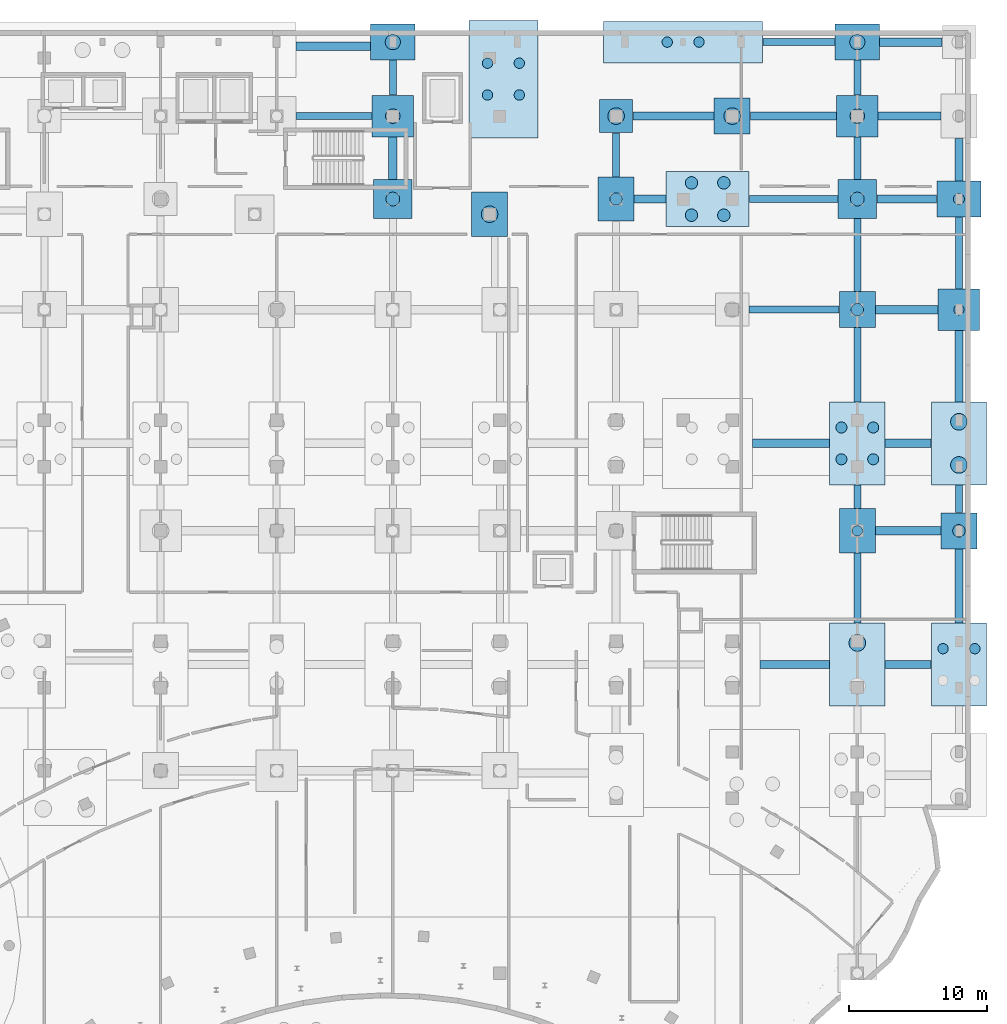
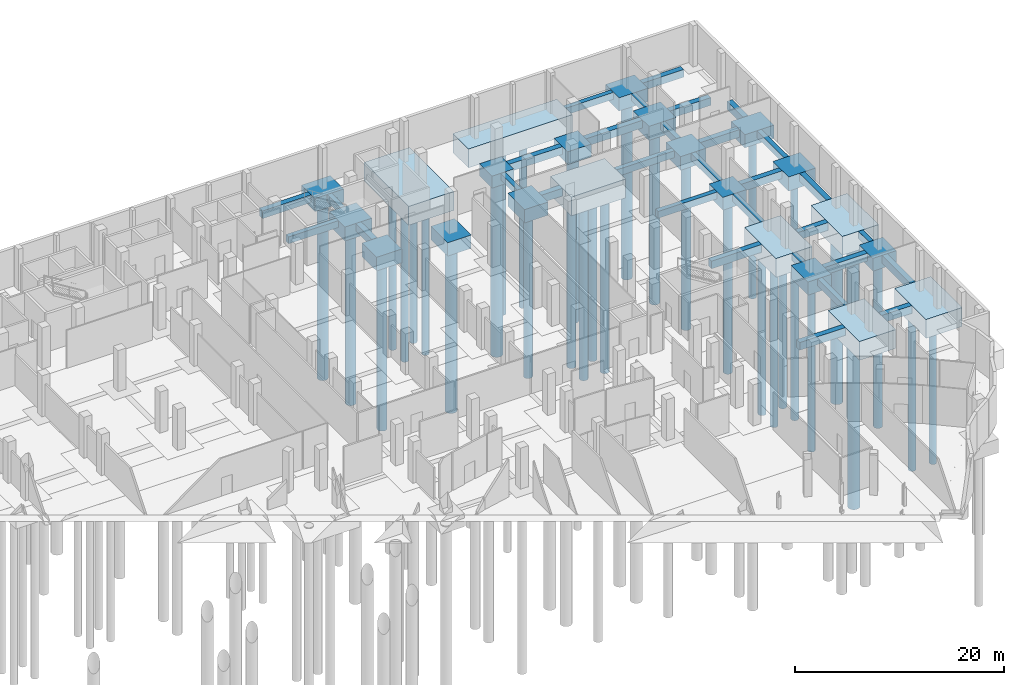
# One storey, part 8 of 45: 53 footings, 34 piles.
"""IFC4 building model written with IfcOpenShell, lengths in metres."""

from ifc_helpers import new_model, si_unit, direction, frame, origin, origin_2d, place, context, subcontext, project, spatial, rectangle, circle, extrude, material, material_profile, profile_set, type_object, element, save


model = new_model("IFC4")

# Units and contexts
model_context = context("Model", 3, precision=1e-05, world=origin(), true_north=direction((0.0, 1.0)))
body_context = subcontext(model_context, "Body", "Model", "MODEL_VIEW")
ifc_project = project(units=[si_unit("LENGTHUNIT", "METRE"), si_unit("AREAUNIT", "SQUARE_METRE"), si_unit("VOLUMEUNIT", "CUBIC_METRE"), si_unit("PLANEANGLEUNIT", "RADIAN"), si_unit("MASSUNIT", "GRAM", prefix="KILO")], contexts=[model_context])

# Site, building, storey
site_placement = place(None, origin())
site = spatial("IfcSite", under=ifc_project, at=site_placement, CompositionType="ELEMENT")
building_placement = place(site_placement, origin())
building = spatial("IfcBuilding", under=site, at=building_placement, Name="Selatvlak General Hospital", CompositionType="ELEMENT")
storey_placement = place(building_placement, frame((0.0, 0.0, -4.800048828125)))
storey = spatial("IfcBuildingStorey", under=building, at=storey_placement, Name="B1", CompositionType="ELEMENT", Elevation=-4.800048828125)

# Footings
ifc_material_1 = material(Name="Concrete C40/50", Category="concrete")
footing_type_1 = type_object("IfcFootingType", Name="FTG-PC-01", PredefinedType="PILE_CAP", material=ifc_material_1)
footing_1_placement = place(storey_placement, frame((156.550048828125, 114.0, -1.39990234375), z_axis=(0.0, 0.0, 1.0), x_axis=(1.0, 0.0, 0.0)))
element("IfcFooting", 1, at=footing_1_placement, inside=storey, type_object=footing_type_1, Name="Pile cap CAP-162", PredefinedType="PILE_CAP", context=body_context, shape_type="SweptSolid", body=[
    extrude(rectangle(XDim=2.39990234375, YDim=2.39990234375, at=origin_2d()), origin(), (0.0, 0.0, 1.0), 1.39990234375),
])
footing_type_2 = type_object("IfcFootingType", Name="FTG-PC-02", PredefinedType="PILE_CAP", material=ifc_material_1)
for number, where, z_axis, x_axis, name in (
    (2, (164.949951171875, 114.0, -1.5), (0.0, 0.0, 1.0), (1.0, 0.0, 0.0), "Pile cap CAP-169"),
    (3, (174.0, 100.0, -1.5), (0.0, 0.0, 1.0), (1.0, 0.0, 0.0), "Pile cap CAP-175"),
    (4, (181.35009765625, 84.0, -1.5), (0.0, 0.0, 1.0), (1.0, 0.0, 0.0), "Pile cap CAP-181"),
):
    element("IfcFooting", number, at=place(storey_placement, frame(where, z_axis=z_axis, x_axis=x_axis)), inside=storey, type_object=footing_type_2, Name=name, PredefinedType="PILE_CAP", context=body_context, shape_type="SweptSolid", body=[
        extrude(rectangle(XDim=2.60009765625, YDim=2.60009765625, at=origin_2d()), origin(), (0.0, 0.0, 1.0), 1.5),
    ])
footing_type_3 = type_object("IfcFootingType", Name="FTG-PC-03", PredefinedType="PILE_CAP", material=ifc_material_1)
for number, where, z_axis, x_axis, name in (
    (5, (140.39990234375, 108.0, -1.60009765625), (0.0, 0.0, 1.0), (1.0, 0.0, 0.0), "Pile cap CAP-146"),
    (6, (174.0, 108.0, -1.60009765625), (0.0, 0.0, 1.0), (1.0, 0.0, 0.0), "Pile cap CAP-176"),
):
    element("IfcFooting", number, at=place(storey_placement, frame(where, z_axis=z_axis, x_axis=x_axis)), inside=storey, type_object=footing_type_3, Name=name, PredefinedType="PILE_CAP", context=body_context, shape_type="SweptSolid", body=[
        extrude(rectangle(XDim=2.800048828125, YDim=2.800048828125, at=origin_2d()), origin(), (0.0, 0.0, 1.0), 1.60009765625),
    ])
footing_type_4 = type_object("IfcFootingType", Name="FTG-PC-04", PredefinedType="PILE_CAP", material=ifc_material_1)
for number, where, z_axis, x_axis, name in (
    (7, (140.39990234375, 114.0, -1.64990234375), (0.0, 0.0, 1.0), (1.0, 0.0, 0.0), "Pile cap CAP-147"),
    (8, (174.0, 114.0, -1.64990234375), (0.0, 0.0, 1.0), (1.0, 0.0, 0.0), "Pile cap CAP-177"),
    (9, (181.35009765625, 100.0, -1.64990234375), (0.0, 0.0, 1.0), (1.0, 0.0, 0.0), "Pile cap CAP-183"),
):
    element("IfcFooting", number, at=place(storey_placement, frame(where, z_axis=z_axis, x_axis=x_axis)), inside=storey, type_object=footing_type_4, Name=name, PredefinedType="PILE_CAP", context=body_context, shape_type="SweptSolid", body=[
        extrude(rectangle(XDim=3.0, YDim=3.0, at=origin_2d()), origin(), (0.0, 0.0, 1.0), 1.64990234375),
    ])
footing_type_5 = type_object("IfcFootingType", Name="FTG-PC-05", PredefinedType="PILE_CAP", material=ifc_material_1)
for number, where, z_axis, x_axis, name in (
    (10, (140.39990234375, 119.35009765625, -1.5498046875), (0.0, 0.0, 1.0), (1.0, 0.0, 0.0), "Pile cap CAP-148"),
    (11, (174.0, 119.35009765625, -1.5498046875), (0.0, 0.0, 1.0), (1.0, 0.0, 0.0), "Pile cap CAP-178"),
    (12, (181.35009765625, 108.0, -1.5498046875), (0.0, 0.0, 1.0), (1.0, 0.0, 0.0), "Pile cap CAP-184"),
):
    element("IfcFooting", number, at=place(storey_placement, frame(where, z_axis=z_axis, x_axis=x_axis)), inside=storey, type_object=footing_type_5, Name=name, PredefinedType="PILE_CAP", context=body_context, shape_type="SweptSolid", body=[
        extrude(rectangle(XDim=3.199951171875, YDim=2.60009765625, at=origin_2d()), origin(), (0.0, 0.0, 1.0), 1.550048828125),
    ])
footing_type_6 = type_object("IfcFootingType", Name="FTG-PC-06", PredefinedType="PILE_CAP", material=ifc_material_1)
for number, where, z_axis, x_axis, name in (
    (13, (147.39990234375, 106.89990234375, -1.5498046875), (0.0, 0.0, 1.0), (1.0, 0.0, 0.0), "Pile cap CAP-149"),
    (14, (156.550048828125, 108.0, -1.5498046875), (0.0, 0.0, 1.0), (1.0, 0.0, 0.0), "Pile cap CAP-161"),
    (15, (174.0, 84.0, -1.5498046875), (0.0, 0.0, 1.0), (1.0, 0.0, 0.0), "Pile cap CAP-173"),
):
    element("IfcFooting", number, at=place(storey_placement, frame(where, z_axis=z_axis, x_axis=x_axis)), inside=storey, type_object=footing_type_6, Name=name, PredefinedType="PILE_CAP", context=body_context, shape_type="SweptSolid", body=[
        extrude(rectangle(XDim=2.60009765625, YDim=3.199951171875, at=origin_2d()), origin(), (0.0, 0.0, 1.0), 1.550048828125),
    ])
footing_type_7 = type_object("IfcFootingType", Name="FTG-PC-19", PredefinedType="PILE_CAP", material=ifc_material_1)
footing_2_placement = place(storey_placement, frame((163.175048828125, 108.0, -2.19970703125), z_axis=(0.0, 0.0, 1.0), x_axis=(1.0, 0.0, 0.0)))
element("IfcFooting", 16, at=footing_2_placement, inside=storey, type_object=footing_type_7, Name="Pile cap CAP-165", PredefinedType="PILE_CAP", context=body_context, shape_type="SweptSolid", body=[
    extrude(rectangle(XDim=6.0, YDim=4.0, at=origin_2d()), origin(), (0.0, 0.0, 1.0), 2.199951171875),
])
footing_type_8 = type_object("IfcFootingType", Name="FTG-PC-20", PredefinedType="PILE_CAP", material=ifc_material_1)
for number, where, z_axis, x_axis, name in (
    (17, (174.0, 74.324951171875, -2.19970703125), (0.0, 0.0, 1.0), (1.0, 0.0, 0.0), "Pile cap CAP-172"),
    (18, (174.0, 90.324951171875, -2.19970703125), (0.0, 0.0, 1.0), (1.0, 0.0, 0.0), "Pile cap CAP-174"),
    (19, (181.35009765625, 74.324951171875, -2.19970703125), (0.0, 0.0, 1.0), (1.0, 0.0, 0.0), "Pile cap CAP-180"),
    (20, (181.35009765625, 90.324951171875, -2.19970703125), (0.0, 0.0, 1.0), (1.0, 0.0, 0.0), "Pile cap CAP-182"),
):
    element("IfcFooting", number, at=place(storey_placement, frame(where, z_axis=z_axis, x_axis=x_axis)), inside=storey, type_object=footing_type_8, Name=name, PredefinedType="PILE_CAP", context=body_context, shape_type="SweptSolid", body=[
        extrude(rectangle(XDim=4.0, YDim=6.0, at=origin_2d()), origin(), (0.0, 0.0, 1.0), 2.199951171875),
    ])
footing_type_9 = type_object("IfcFootingType", Name="FTG-PC-M150", PredefinedType="PILE_CAP", material=ifc_material_1)
footing_3_placement = place(storey_placement, frame((148.39990234375, 116.675048828125, -2.19970703125), z_axis=(0.0, 0.0, 1.0), x_axis=(1.0, 0.0, 0.0)))
element("IfcFooting", 21, at=footing_3_placement, inside=storey, type_object=footing_type_9, Name="Pile cap CAP-150", PredefinedType="PILE_CAP", context=body_context, shape_type="SweptSolid", body=[
    extrude(rectangle(XDim=5.0, YDim=8.5, at=origin_2d()), origin(), (0.0, 0.0, 1.0), 2.199951171875),
])
footing_type_10 = type_object("IfcFootingType", Name="FTG-PC-M163", PredefinedType="PILE_CAP", material=ifc_material_1)
footing_4_placement = place(storey_placement, frame((161.39990234375, 119.35009765625, -2.19970703125), z_axis=(0.0, 0.0, 1.0), x_axis=(1.0, 0.0, 0.0)))
element("IfcFooting", 22, at=footing_4_placement, inside=storey, type_object=footing_type_10, Name="Pile cap CAP-163", PredefinedType="PILE_CAP", context=body_context, shape_type="SweptSolid", body=[
    extrude(rectangle(XDim=11.5, YDim=3.0, at=origin_2d()), origin(), (0.0, 0.0, 1.0), 2.199951171875),
])
ifc_material_2 = material(Name="Concrete C35/45", Category="concrete")
footing_type_11 = type_object("IfcFootingType", Name="FTG-TB-103", PredefinedType="FOOTING_BEAM", material=ifc_material_2)
footing_5_placement = place(storey_placement, frame((159.011962890625, 108.0, -0.89990234375), z_axis=(0.0, 0.0, 1.0), x_axis=(1.0, 0.0, 0.0)))
element("IfcFooting", 23, at=footing_5_placement, inside=storey, type_object=footing_type_11, Name="Foundation tie beam TBF-181", PredefinedType="FOOTING_BEAM", context=body_context, shape_type="SweptSolid", body=[
    extrude(rectangle(XDim=2.304931640625, YDim=0.60009765625, at=origin_2d()), origin(), (0.0, 0.0, 1.0), 0.89990234375),
])
footing_type_12 = type_object("IfcFootingType", Name="FTG-TB-104", PredefinedType="FOOTING_BEAM", material=ifc_material_2)
footing_6_placement = place(storey_placement, frame((169.77490234375, 119.35009765625, -0.7998046875), z_axis=(0.0, 0.0, 1.0), x_axis=(1.0, 0.0, 0.0)))
element("IfcFooting", 24, at=footing_6_placement, inside=storey, type_object=footing_type_12, Name="Foundation tie beam TBF-184", PredefinedType="FOOTING_BEAM", context=body_context, shape_type="SweptSolid", body=[
    extrude(rectangle(XDim=5.22998046875, YDim=0.5, at=origin_2d()), origin(), (0.0, 0.0, 1.0), 0.800048828125),
])
footing_type_13 = type_object("IfcFootingType", Name="FTG-TB-105", PredefinedType="FOOTING_BEAM", material=ifc_material_2)
footing_7_placement = place(storey_placement, frame((169.212890625, 90.324951171875, -0.89990234375), z_axis=(0.0, 0.0, 1.0), x_axis=(1.0, 0.0, 0.0)))
element("IfcFooting", 25, at=footing_7_placement, inside=storey, type_object=footing_type_13, Name="Foundation tie beam TBF-185", PredefinedType="FOOTING_BEAM", context=body_context, shape_type="SweptSolid", body=[
    extrude(rectangle(XDim=5.554931640625, YDim=0.60009765625, at=origin_2d()), origin(), (0.0, 0.0, 1.0), 0.89990234375),
])
footing_type_14 = type_object("IfcFootingType", Name="FTG-TB-106", PredefinedType="FOOTING_BEAM", material=ifc_material_2)
footing_8_placement = place(storey_placement, frame((169.386962890625, 108.0, -0.7998046875), z_axis=(0.0, 0.0, 1.0), x_axis=(1.0, 0.0, 0.0)))
element("IfcFooting", 26, at=footing_8_placement, inside=storey, type_object=footing_type_14, Name="Foundation tie beam TBF-186", PredefinedType="FOOTING_BEAM", context=body_context, shape_type="SweptSolid", body=[
    extrude(rectangle(XDim=6.405029296875, YDim=0.5, at=origin_2d()), origin(), (0.0, 0.0, 1.0), 0.800048828125),
])
footing_type_15 = type_object("IfcFootingType", Name="FTG-TB-107", PredefinedType="FOOTING_BEAM", material=ifc_material_2)
footing_9_placement = place(storey_placement, frame((169.47509765625, 74.324951171875, -0.89990234375), z_axis=(0.0, 0.0, 1.0), x_axis=(1.0, 0.0, 0.0)))
element("IfcFooting", 27, at=footing_9_placement, inside=storey, type_object=footing_type_15, Name="Foundation tie beam TBF-187", PredefinedType="FOOTING_BEAM", context=body_context, shape_type="SweptSolid", body=[
    extrude(rectangle(XDim=5.030029296875, YDim=0.60009765625, at=origin_2d()), origin(), (0.0, 0.0, 1.0), 0.89990234375),
])
footing_type_16 = type_object("IfcFootingType", Name="FTG-TB-108", PredefinedType="FOOTING_BEAM", material=ifc_material_2)
footing_10_placement = place(storey_placement, frame((169.425048828125, 100.0, -0.7998046875), z_axis=(0.0, 0.0, 1.0), x_axis=(1.0, 0.0, 0.0)))
element("IfcFooting", 28, at=footing_10_placement, inside=storey, type_object=footing_type_16, Name="Foundation tie beam TBF-188", PredefinedType="FOOTING_BEAM", context=body_context, shape_type="SweptSolid", body=[
    extrude(rectangle(XDim=6.530029296875, YDim=0.5, at=origin_2d()), origin(), (0.0, 0.0, 1.0), 0.800048828125),
])
footing_type_17 = type_object("IfcFootingType", Name="FTG-TB-109", PredefinedType="FOOTING_BEAM", material=ifc_material_2)
footing_11_placement = place(storey_placement, frame((169.375, 114.0, -0.89990234375), z_axis=(0.0, 0.0, 1.0), x_axis=(1.0, 0.0, 0.0)))
element("IfcFooting", 29, at=footing_11_placement, inside=storey, type_object=footing_type_17, Name="Foundation tie beam TBF-189", PredefinedType="FOOTING_BEAM", context=body_context, shape_type="SweptSolid", body=[
    extrude(rectangle(XDim=6.22998046875, YDim=0.60009765625, at=origin_2d()), origin(), (0.0, 0.0, 1.0), 0.89990234375),
])
footing_type_18 = type_object("IfcFootingType", Name="FTG-TB-111", PredefinedType="FOOTING_BEAM", material=ifc_material_2)
for number, where, z_axis, x_axis, name in (
    (30, (177.675048828125, 74.324951171875, -0.89990234375), (0.0, 0.0, 1.0), (1.0, 0.0, 0.0), "Foundation tie beam TBF-193"),
    (31, (177.675048828125, 90.324951171875, -0.89990234375), (0.0, 0.0, 1.0), (1.0, 0.0, 0.0), "Foundation tie beam TBF-197"),
):
    element("IfcFooting", number, at=place(storey_placement, frame(where, z_axis=z_axis, x_axis=x_axis)), inside=storey, type_object=footing_type_18, Name=name, PredefinedType="FOOTING_BEAM", context=body_context, shape_type="SweptSolid", body=[
        extrude(rectangle(XDim=3.330078125, YDim=0.60009765625, at=origin_2d()), origin(), (0.0, 0.0, 1.0), 0.89990234375),
    ])
footing_type_19 = type_object("IfcFootingType", Name="FTG-TB-113", PredefinedType="FOOTING_BEAM", material=ifc_material_2)
for number, where, z_axis, x_axis, name in (
    (32, (177.574951171875, 100.0, -0.89990234375), (0.0, 0.0, 1.0), (1.0, 0.0, 0.0), "Foundation tie beam TBF-199"),
    (33, (177.77490234375, 114.0, -0.89990234375), (0.0, 0.0, 1.0), (1.0, 0.0, 0.0), "Foundation tie beam TBF-203"),
    (34, (177.875, 119.35009765625, -0.89990234375), (0.0, 0.0, 1.0), (1.0, 0.0, 0.0), "Foundation tie beam TBF-205"),
):
    element("IfcFooting", number, at=place(storey_placement, frame(where, z_axis=z_axis, x_axis=x_axis)), inside=storey, type_object=footing_type_19, Name=name, PredefinedType="FOOTING_BEAM", context=body_context, shape_type="SweptSolid", body=[
        extrude(rectangle(XDim=4.530029296875, YDim=0.60009765625, at=origin_2d()), origin(), (0.0, 0.0, 1.0), 0.89990234375),
    ])
footing_type_20 = type_object("IfcFootingType", Name="FTG-TB-114", PredefinedType="FOOTING_BEAM", material=ifc_material_2)
footing_12_placement = place(storey_placement, frame((177.574951171875, 108.0, -0.89990234375), z_axis=(0.0, 0.0, 1.0), x_axis=(1.0, 0.0, 0.0)))
element("IfcFooting", 35, at=footing_12_placement, inside=storey, type_object=footing_type_20, Name="Foundation tie beam TBF-201", PredefinedType="FOOTING_BEAM", context=body_context, shape_type="SweptSolid", body=[
    extrude(rectangle(XDim=4.330078125, YDim=0.60009765625, at=origin_2d()), origin(), (0.0, 0.0, 1.0), 0.89990234375),
])
footing_type_21 = type_object("IfcFootingType", Name="FTG-TB-115", PredefinedType="FOOTING_BEAM", material=ifc_material_2)
footing_13_placement = place(storey_placement, frame((174.0, 110.949951171875, -0.7998046875), z_axis=(0.0, 0.0, 1.0), x_axis=(0.0, 1.0, 0.0)))
element("IfcFooting", 36, at=footing_13_placement, inside=storey, type_object=footing_type_21, Name="Foundation tie beam TBF-202", PredefinedType="FOOTING_BEAM", context=body_context, shape_type="SweptSolid", body=[
    extrude(rectangle(XDim=3.080078125, YDim=0.5, at=origin_2d()), origin(), (0.0, 0.0, 1.0), 0.800048828125),
])
footing_type_22 = type_object("IfcFootingType", Name="FTG-TB-116", PredefinedType="FOOTING_BEAM", material=ifc_material_2)
footing_14_placement = place(storey_placement, frame((181.35009765625, 80.012939453125, -0.89990234375), z_axis=(0.0, 0.0, 1.0), x_axis=(0.0, 1.0, 0.0)))
element("IfcFooting", 37, at=footing_14_placement, inside=storey, type_object=footing_type_22, Name="Foundation tie beam TBF-207", PredefinedType="FOOTING_BEAM", context=body_context, shape_type="SweptSolid", body=[
    extrude(rectangle(XDim=5.35498046875, YDim=0.60009765625, at=origin_2d()), origin(), (0.0, 0.0, 1.0), 0.89990234375),
])
footing_type_23 = type_object("IfcFootingType", Name="FTG-TB-117", PredefinedType="FOOTING_BEAM", material=ifc_material_2)
footing_15_placement = place(storey_placement, frame((181.35009765625, 86.31201171875, -0.7998046875), z_axis=(0.0, 0.0, 1.0), x_axis=(0.0, 1.0, 0.0)))
element("IfcFooting", 38, at=footing_15_placement, inside=storey, type_object=footing_type_23, Name="Foundation tie beam TBF-208", PredefinedType="FOOTING_BEAM", context=body_context, shape_type="SweptSolid", body=[
    extrude(rectangle(XDim=2.0048828125, YDim=0.5, at=origin_2d()), origin(), (0.0, 0.0, 1.0), 0.800048828125),
])
footing_type_24 = type_object("IfcFootingType", Name="FTG-TB-18", PredefinedType="FOOTING_BEAM", material=ifc_material_2)
footing_16_placement = place(storey_placement, frame((174.0, 96.012939453125, -0.7998046875), z_axis=(0.0, 0.0, 1.0), x_axis=(0.0, 1.0, 0.0)))
element("IfcFooting", 39, at=footing_16_placement, inside=storey, type_object=footing_type_24, Name="Foundation tie beam TBF-198", PredefinedType="FOOTING_BEAM", context=body_context, shape_type="SweptSolid", body=[
    extrude(rectangle(XDim=5.35498046875, YDim=0.5, at=origin_2d()), origin(), (0.0, 0.0, 1.0), 0.800048828125),
])
footing_type_25 = type_object("IfcFootingType", Name="FTG-TB-20", PredefinedType="FOOTING_BEAM", material=ifc_material_2)
footing_17_placement = place(storey_placement, frame((136.14990234375, 114.0, -0.7998046875), z_axis=(0.0, 0.0, 1.0), x_axis=(1.0, 0.0, 0.0)))
element("IfcFooting", 40, at=footing_17_placement, inside=storey, type_object=footing_type_25, Name="Foundation tie beam TBF-150", PredefinedType="FOOTING_BEAM", context=body_context, shape_type="SweptSolid", body=[
    extrude(rectangle(XDim=5.47998046875, YDim=0.5, at=origin_2d()), origin(), (0.0, 0.0, 1.0), 0.800048828125),
])
footing_type_26 = type_object("IfcFootingType", Name="FTG-TB-23", PredefinedType="FOOTING_BEAM", material=ifc_material_2)
footing_18_placement = place(storey_placement, frame((156.550048828125, 111.199951171875, -0.7998046875), z_axis=(0.0, 0.0, 1.0), x_axis=(0.0, 1.0, 0.0)))
element("IfcFooting", 41, at=footing_18_placement, inside=storey, type_object=footing_type_26, Name="Foundation tie beam TBF-182", PredefinedType="FOOTING_BEAM", context=body_context, shape_type="SweptSolid", body=[
    extrude(rectangle(XDim=3.179931640625, YDim=0.5, at=origin_2d()), origin(), (0.0, 0.0, 1.0), 0.800048828125),
])
footing_type_27 = type_object("IfcFootingType", Name="FTG-TB-51", PredefinedType="FOOTING_BEAM", material=ifc_material_2)
footing_19_placement = place(storey_placement, frame((160.699951171875, 114.0, -0.89990234375), z_axis=(0.0, 0.0, 1.0), x_axis=(1.0, 0.0, 0.0)))
element("IfcFooting", 42, at=footing_19_placement, inside=storey, type_object=footing_type_27, Name="Foundation tie beam TBF-183", PredefinedType="FOOTING_BEAM", context=body_context, shape_type="SweptSolid", body=[
    extrude(rectangle(XDim=5.8798828125, YDim=0.60009765625, at=origin_2d()), origin(), (0.0, 0.0, 1.0), 0.89990234375),
])
footing_type_28 = type_object("IfcFootingType", Name="FTG-TB-62", PredefinedType="FOOTING_BEAM", material=ifc_material_2)
footing_20_placement = place(storey_placement, frame((177.675048828125, 84.0, -0.89990234375), z_axis=(0.0, 0.0, 1.0), x_axis=(1.0, 0.0, 0.0)))
element("IfcFooting", 43, at=footing_20_placement, inside=storey, type_object=footing_type_28, Name="Foundation tie beam TBF-195", PredefinedType="FOOTING_BEAM", context=body_context, shape_type="SweptSolid", body=[
    extrude(rectangle(XDim=4.72998046875, YDim=0.60009765625, at=origin_2d()), origin(), (0.0, 0.0, 1.0), 0.89990234375),
])
footing_type_29 = type_object("IfcFootingType", Name="FTG-TB-68", PredefinedType="FOOTING_BEAM", material=ifc_material_2)
footing_21_placement = place(storey_placement, frame((136.10009765625, 119.06201171875, -0.89990234375), z_axis=(0.0, 0.0, 1.0), x_axis=(1.0, 0.0, 0.0)))
element("IfcFooting", 44, at=footing_21_placement, inside=storey, type_object=footing_type_29, Name="Foundation tie beam TBF-121", PredefinedType="FOOTING_BEAM", context=body_context, shape_type="SweptSolid", body=[
    extrude(rectangle(XDim=5.3798828125, YDim=0.60009765625, at=origin_2d()), origin(), (0.0, 0.0, 1.0), 0.89990234375),
])
footing_type_30 = type_object("IfcFootingType", Name="FTG-TB-69", PredefinedType="FOOTING_BEAM", material=ifc_material_2)
footing_22_placement = place(storey_placement, frame((181.35009765625, 104.10009765625, -0.7998046875), z_axis=(0.0, 0.0, 1.0), x_axis=(0.0, 1.0, 0.0)))
element("IfcFooting", 45, at=footing_22_placement, inside=storey, type_object=footing_type_30, Name="Foundation tie beam TBF-210", PredefinedType="FOOTING_BEAM", context=body_context, shape_type="SweptSolid", body=[
    extrude(rectangle(XDim=5.179931640625, YDim=0.5, at=origin_2d()), origin(), (0.0, 0.0, 1.0), 0.800048828125),
])
footing_type_31 = type_object("IfcFootingType", Name="FTG-TB-70", PredefinedType="FOOTING_BEAM", material=ifc_material_2)
for number, where, z_axis, x_axis, name in (
    (46, (140.39990234375, 110.949951171875, -0.89990234375), (0.0, 0.0, 1.0), (0.0, 1.0, 0.0), "Foundation tie beam TBF-161"),
    (47, (181.35009765625, 110.85009765625, -0.89990234375), (0.0, 0.0, 1.0), (0.0, 1.0, 0.0), "Foundation tie beam TBF-211"),
):
    element("IfcFooting", number, at=place(storey_placement, frame(where, z_axis=z_axis, x_axis=x_axis)), inside=storey, type_object=footing_type_31, Name=name, PredefinedType="FOOTING_BEAM", context=body_context, shape_type="SweptSolid", body=[
        extrude(rectangle(XDim=3.080078125, YDim=0.60009765625, at=origin_2d()), origin(), (0.0, 0.0, 1.0), 0.89990234375),
    ])
footing_type_32 = type_object("IfcFootingType", Name="FTG-TB-83", PredefinedType="FOOTING_BEAM", material=ifc_material_2)
footing_23_placement = place(storey_placement, frame((181.35009765625, 95.912109375, -0.89990234375), z_axis=(0.0, 0.0, 1.0), x_axis=(0.0, 1.0, 0.0)))
element("IfcFooting", 48, at=footing_23_placement, inside=storey, type_object=footing_type_32, Name="Foundation tie beam TBF-209", PredefinedType="FOOTING_BEAM", context=body_context, shape_type="SweptSolid", body=[
    extrude(rectangle(XDim=5.155029296875, YDim=0.60009765625, at=origin_2d()), origin(), (0.0, 0.0, 1.0), 0.89990234375),
])
footing_type_33 = type_object("IfcFootingType", Name="FTG-TB-84", PredefinedType="FOOTING_BEAM", material=ifc_material_2)
footing_24_placement = place(storey_placement, frame((174.0, 103.949951171875, -0.7998046875), z_axis=(0.0, 0.0, 1.0), x_axis=(0.0, 1.0, 0.0)))
element("IfcFooting", 49, at=footing_24_placement, inside=storey, type_object=footing_type_33, Name="Foundation tie beam TBF-200", PredefinedType="FOOTING_BEAM", context=body_context, shape_type="SweptSolid", body=[
    extrude(rectangle(XDim=5.280029296875, YDim=0.5, at=origin_2d()), origin(), (0.0, 0.0, 1.0), 0.800048828125),
])
footing_type_34 = type_object("IfcFootingType", Name="FTG-TB-89", PredefinedType="FOOTING_BEAM", material=ifc_material_2)
footing_25_placement = place(storey_placement, frame((174.0, 79.863037109375, -0.7998046875), z_axis=(0.0, 0.0, 1.0), x_axis=(0.0, 1.0, 0.0)))
element("IfcFooting", 50, at=footing_25_placement, inside=storey, type_object=footing_type_34, Name="Foundation tie beam TBF-194", PredefinedType="FOOTING_BEAM", context=body_context, shape_type="SweptSolid", body=[
    extrude(rectangle(XDim=5.054931640625, YDim=0.5, at=origin_2d()), origin(), (0.0, 0.0, 1.0), 0.800048828125),
])
footing_type_35 = type_object("IfcFootingType", Name="FTG-TB-93", PredefinedType="FOOTING_BEAM", material=ifc_material_2)
footing_26_placement = place(storey_placement, frame((174.0, 86.462890625, -0.7998046875), z_axis=(0.0, 0.0, 1.0), x_axis=(0.0, 1.0, 0.0)))
element("IfcFooting", 51, at=footing_26_placement, inside=storey, type_object=footing_type_35, Name="Foundation tie beam TBF-196", PredefinedType="FOOTING_BEAM", context=body_context, shape_type="SweptSolid", body=[
    extrude(rectangle(XDim=1.705078125, YDim=0.5, at=origin_2d()), origin(), (0.0, 0.0, 1.0), 0.800048828125),
])
footing_type_36 = type_object("IfcFootingType", Name="FTG-TB-96", PredefinedType="FOOTING_BEAM", material=ifc_material_2)
for number, where, z_axis, x_axis, name in (
    (52, (140.39990234375, 116.77490234375, -0.7998046875), (0.0, 0.0, 1.0), (0.0, 1.0, 0.0), "Foundation tie beam TBF-162"),
    (53, (174.0, 116.77490234375, -0.7998046875), (0.0, 0.0, 1.0), (0.0, 1.0, 0.0), "Foundation tie beam TBF-204"),
):
    element("IfcFooting", number, at=place(storey_placement, frame(where, z_axis=z_axis, x_axis=x_axis)), inside=storey, type_object=footing_type_36, Name=name, PredefinedType="FOOTING_BEAM", context=body_context, shape_type="SweptSolid", body=[
        extrude(rectangle(XDim=2.530029296875, YDim=0.5, at=origin_2d()), origin(), (0.0, 0.0, 1.0), 0.800048828125),
    ])

# Piles
ifc_material_profile_1 = material_profile(ifc_material_1, circle(Radius=0.375, at=origin_2d()), Name="BORED PILE 750")
ifc_profile_set_1 = profile_set([ifc_material_profile_1], Name="Concrete C40/50")
pile_type_1 = type_object("IfcPileType", Name="PILE-BP-01", PredefinedType="BORED", material=ifc_profile_set_1)
for number, where, z_axis, x_axis, name in (
    (54, (147.25, 115.52490234375, -2.099853515625), (0.0, 0.0, -1.0), (1.0, 0.0, 0.0), "Bored pile PLF-0278"),
    (55, (147.25, 117.824951171875, -2.099853515625), (0.0, 0.0, -1.0), (1.0, 0.0, 0.0), "Bored pile PLF-0279"),
    (56, (149.550048828125, 115.52490234375, -2.099853515625), (0.0, 0.0, -1.0), (1.0, 0.0, 0.0), "Bored pile PLF-0280"),
    (57, (149.550048828125, 117.824951171875, -2.099853515625), (0.0, 0.0, -1.0), (1.0, 0.0, 0.0), "Bored pile PLF-0281"),
    (58, (180.199951171875, 75.47509765625, -2.099853515625), (0.0, 0.0, -1.0), (1.0, 0.0, 0.0), "Bored pile PLF-0338"),
    (59, (182.5, 75.47509765625, -2.099853515625), (0.0, 0.0, -1.0), (1.0, 0.0, 0.0), "Bored pile PLF-0340"),
):
    element("IfcPile", number, at=place(storey_placement, frame(where, z_axis=z_axis, x_axis=x_axis)), inside=storey, type_object=pile_type_1, Name=name, PredefinedType="BORED", context=body_context, shape_type="SweptSolid", body=[
        extrude(circle(Radius=0.375, at=origin_2d()), origin(), (0.0, 0.0, 1.0), 18.199951171875),
    ])
ifc_material_profile_2 = material_profile(ifc_material_1, circle(Radius=0.449951171875, at=origin_2d()), Name="BORED PILE 900")
ifc_profile_set_2 = profile_set([ifc_material_profile_2], Name="Concrete C40/50")
pile_type_2 = type_object("IfcPileType", Name="PILE-BP-02", PredefinedType="BORED", material=ifc_profile_set_2)
for number, where, z_axis, x_axis, name in (
    (60, (156.550048828125, 108.0, -1.449951171875), (0.0, 0.0, -1.0), (1.0, 0.0, 0.0), "Bored pile PLF-0299"),
    (61, (181.35009765625, 84.0, -1.39990234375), (0.0, 0.0, -1.0), (1.0, 0.0, 0.0), "Bored pile PLF-0341"),
):
    element("IfcPile", number, at=place(storey_placement, frame(where, z_axis=z_axis, x_axis=x_axis)), inside=storey, type_object=pile_type_2, Name=name, PredefinedType="BORED", context=body_context, shape_type="SweptSolid", body=[
        extrude(circle(Radius=0.449951171875, at=origin_2d()), origin(), (0.0, 0.0, 1.0), 19.39990234375),
    ])
ifc_material_profile_3 = material_profile(ifc_material_1, circle(Radius=0.60009765625, at=origin_2d()), Name="BORED PILE 1200")
ifc_profile_set_3 = profile_set([ifc_material_profile_3], Name="Concrete C40/50")
pile_type_3 = type_object("IfcPileType", Name="PILE-BP-03", PredefinedType="BORED", material=ifc_profile_set_3)
for number, where, z_axis, x_axis, name in (
    (62, (156.550048828125, 114.0, -1.300048828125), (0.0, 0.0, -1.0), (1.0, 0.0, 0.0), "Bored pile PLF-0300"),
    (63, (174.0, 75.885009765625, -2.099853515625), (0.0, 0.0, -1.0), (1.0, 0.0, 0.0), "Bored pile PLF-0325"),
    (64, (181.35009765625, 88.764892578125, -2.099853515625), (0.0, 0.0, -1.0), (1.0, 0.0, 0.0), "Bored pile PLF-0342"),
    (65, (181.35009765625, 91.885009765625, -2.099853515625), (0.0, 0.0, -1.0), (1.0, 0.0, 0.0), "Bored pile PLF-0343"),
):
    element("IfcPile", number, at=place(storey_placement, frame(where, z_axis=z_axis, x_axis=x_axis)), inside=storey, type_object=pile_type_3, Name=name, PredefinedType="BORED", context=body_context, shape_type="SweptSolid", body=[
        extrude(circle(Radius=0.60009765625, at=origin_2d()), origin(), (0.0, 0.0, 1.0), 20.60009765625),
    ])
ifc_material_profile_4 = material_profile(ifc_material_1, circle(Radius=0.375, at=origin_2d()), Name="BORED PILE 750")
ifc_profile_set_4 = profile_set([ifc_material_profile_4], Name="Concrete C40/50")
pile_type_4 = type_object("IfcPileType", Name="PILE-BP-04", PredefinedType="BORED", material=ifc_profile_set_4)
for number, where, z_axis, x_axis, name in (
    (66, (160.25, 119.35009765625, -2.099853515625), (0.0, 0.0, -1.0), (1.0, 0.0, 0.0), "Bored pile PLF-0301"),
    (67, (162.550048828125, 119.35009765625, -2.099853515625), (0.0, 0.0, -1.0), (1.0, 0.0, 0.0), "Bored pile PLF-0302"),
    (68, (174.0, 84.0, -1.449951171875), (0.0, 0.0, -1.0), (1.0, 0.0, 0.0), "Bored pile PLF-0326"),
    (69, (181.35009765625, 100.0, -1.550048828125), (0.0, 0.0, -1.0), (1.0, 0.0, 0.0), "Bored pile PLF-0344"),
):
    element("IfcPile", number, at=place(storey_placement, frame(where, z_axis=z_axis, x_axis=x_axis)), inside=storey, type_object=pile_type_4, Name=name, PredefinedType="BORED", context=body_context, shape_type="SweptSolid", body=[
        extrude(circle(Radius=0.375, at=origin_2d()), origin(), (0.0, 0.0, 1.0), 19.60009765625),
    ])
ifc_material_profile_5 = material_profile(ifc_material_1, circle(Radius=0.39990234375, at=origin_2d()), Name="BORED PILE 800")
ifc_profile_set_5 = profile_set([ifc_material_profile_5], Name="Concrete C40/50")
pile_type_5 = type_object("IfcPileType", Name="PILE-BP-05", PredefinedType="BORED", material=ifc_profile_set_5)
for number, where, z_axis, x_axis, name in (
    (70, (172.85009765625, 89.175048828125, -2.099853515625), (0.0, 0.0, -1.0), (1.0, 0.0, 0.0), "Bored pile PLF-0327"),
    (71, (172.85009765625, 91.47509765625, -2.099853515625), (0.0, 0.0, -1.0), (1.0, 0.0, 0.0), "Bored pile PLF-0328"),
    (72, (175.14990234375, 89.175048828125, -2.099853515625), (0.0, 0.0, -1.0), (1.0, 0.0, 0.0), "Bored pile PLF-0329"),
    (73, (175.14990234375, 91.47509765625, -2.099853515625), (0.0, 0.0, -1.0), (1.0, 0.0, 0.0), "Bored pile PLF-0330"),
    (74, (181.35009765625, 108.0, -1.449951171875), (0.0, 0.0, -1.0), (1.0, 0.0, 0.0), "Bored pile PLF-0345"),
):
    element("IfcPile", number, at=place(storey_placement, frame(where, z_axis=z_axis, x_axis=x_axis)), inside=storey, type_object=pile_type_5, Name=name, PredefinedType="BORED", context=body_context, shape_type="SweptSolid", body=[
        extrude(circle(Radius=0.39990234375, at=origin_2d()), origin(), (0.0, 0.0, 1.0), 18.800048828125),
    ])
ifc_material_profile_6 = material_profile(ifc_material_1, circle(Radius=0.449951171875, at=origin_2d()), Name="BORED PILE 900")
ifc_profile_set_6 = profile_set([ifc_material_profile_6], Name="Concrete C40/50")
pile_type_6 = type_object("IfcPileType", Name="PILE-BP-06", PredefinedType="BORED", material=ifc_profile_set_6)
for number, where, z_axis, x_axis, name in (
    (75, (162.0048828125, 106.830078125, -2.099853515625), (0.0, 0.0, -1.0), (1.0, 0.0, 0.0), "Bored pile PLF-0307"),
    (76, (162.0048828125, 109.169921875, -2.099853515625), (0.0, 0.0, -1.0), (1.0, 0.0, 0.0), "Bored pile PLF-0308"),
    (77, (164.344970703125, 106.830078125, -2.099853515625), (0.0, 0.0, -1.0), (1.0, 0.0, 0.0), "Bored pile PLF-0309"),
    (78, (164.344970703125, 109.169921875, -2.099853515625), (0.0, 0.0, -1.0), (1.0, 0.0, 0.0), "Bored pile PLF-0310"),
    (79, (174.0, 100.0, -1.39990234375), (0.0, 0.0, -1.0), (1.0, 0.0, 0.0), "Bored pile PLF-0331"),
):
    element("IfcPile", number, at=place(storey_placement, frame(where, z_axis=z_axis, x_axis=x_axis)), inside=storey, type_object=pile_type_6, Name=name, PredefinedType="BORED", context=body_context, shape_type="SweptSolid", body=[
        extrude(circle(Radius=0.449951171875, at=origin_2d()), origin(), (0.0, 0.0, 1.0), 20.199951171875),
    ])
ifc_material_profile_7 = material_profile(ifc_material_1, circle(Radius=0.5, at=origin_2d()), Name="BORED PILE 1000")
ifc_profile_set_7 = profile_set([ifc_material_profile_7], Name="Concrete C40/50")
pile_type_7 = type_object("IfcPileType", Name="PILE-BP-07", PredefinedType="BORED", material=ifc_profile_set_7)
for number, where, z_axis, x_axis, name in (
    (80, (140.39990234375, 108.0, -1.5), (0.0, 0.0, -1.0), (1.0, 0.0, 0.0), "Bored pile PLF-0274"),
    (81, (174.0, 108.0, -1.5), (0.0, 0.0, -1.0), (1.0, 0.0, 0.0), "Bored pile PLF-0332"),
):
    element("IfcPile", number, at=place(storey_placement, frame(where, z_axis=z_axis, x_axis=x_axis)), inside=storey, type_object=pile_type_7, Name=name, PredefinedType="BORED", context=body_context, shape_type="SweptSolid", body=[
        extrude(circle(Radius=0.5, at=origin_2d()), origin(), (0.0, 0.0, 1.0), 19.800048828125),
    ])
ifc_material_profile_8 = material_profile(ifc_material_1, circle(Radius=0.52490234375, at=origin_2d()), Name="BORED PILE 1050")
ifc_profile_set_8 = profile_set([ifc_material_profile_8], Name="Concrete C40/50")
pile_type_8 = type_object("IfcPileType", Name="PILE-BP-08", PredefinedType="BORED", material=ifc_profile_set_8)
for number, where, z_axis, x_axis, name in (
    (82, (140.39990234375, 114.0, -1.550048828125), (0.0, 0.0, -1.0), (1.0, 0.0, 0.0), "Bored pile PLF-0275"),
    (83, (174.0, 114.0, -1.550048828125), (0.0, 0.0, -1.0), (1.0, 0.0, 0.0), "Bored pile PLF-0333"),
):
    element("IfcPile", number, at=place(storey_placement, frame(where, z_axis=z_axis, x_axis=x_axis)), inside=storey, type_object=pile_type_8, Name=name, PredefinedType="BORED", context=body_context, shape_type="SweptSolid", body=[
        extrude(circle(Radius=0.52490234375, at=origin_2d()), origin(), (0.0, 0.0, 1.0), 20.39990234375),
    ])
ifc_material_profile_9 = material_profile(ifc_material_1, circle(Radius=0.550048828125, at=origin_2d()), Name="BORED PILE 1100")
ifc_profile_set_9 = profile_set([ifc_material_profile_9], Name="Concrete C40/50")
pile_type_9 = type_object("IfcPileType", Name="PILE-BP-09", PredefinedType="BORED", material=ifc_profile_set_9)
for number, where, z_axis, x_axis, name in (
    (84, (140.39990234375, 119.35009765625, -1.449951171875), (0.0, 0.0, -1.0), (1.0, 0.0, 0.0), "Bored pile PLF-0276"),
    (85, (174.0, 119.35009765625, -1.449951171875), (0.0, 0.0, -1.0), (1.0, 0.0, 0.0), "Bored pile PLF-0334"),
):
    element("IfcPile", number, at=place(storey_placement, frame(where, z_axis=z_axis, x_axis=x_axis)), inside=storey, type_object=pile_type_9, Name=name, PredefinedType="BORED", context=body_context, shape_type="SweptSolid", body=[
        extrude(circle(Radius=0.550048828125, at=origin_2d()), origin(), (0.0, 0.0, 1.0), 20.800048828125),
    ])
ifc_material_profile_10 = material_profile(ifc_material_1, circle(Radius=0.60009765625, at=origin_2d()), Name="BORED PILE 1200")
ifc_profile_set_10 = profile_set([ifc_material_profile_10], Name="Concrete C40/50")
pile_type_10 = type_object("IfcPileType", Name="PILE-BP-10", PredefinedType="BORED", material=ifc_profile_set_10)
for number, where, z_axis, x_axis, name in (
    (86, (147.39990234375, 106.89990234375, -1.449951171875), (0.0, 0.0, -1.0), (1.0, 0.0, 0.0), "Bored pile PLF-0277"),
    (87, (164.949951171875, 114.0, -1.39990234375), (0.0, 0.0, -1.0), (1.0, 0.0, 0.0), "Bored pile PLF-0318"),
):
    element("IfcPile", number, at=place(storey_placement, frame(where, z_axis=z_axis, x_axis=x_axis)), inside=storey, type_object=pile_type_10, Name=name, PredefinedType="BORED", context=body_context, shape_type="SweptSolid", body=[
        extrude(circle(Radius=0.60009765625, at=origin_2d()), origin(), (0.0, 0.0, 1.0), 19.5),
    ])

save(model, "model.ifc")
